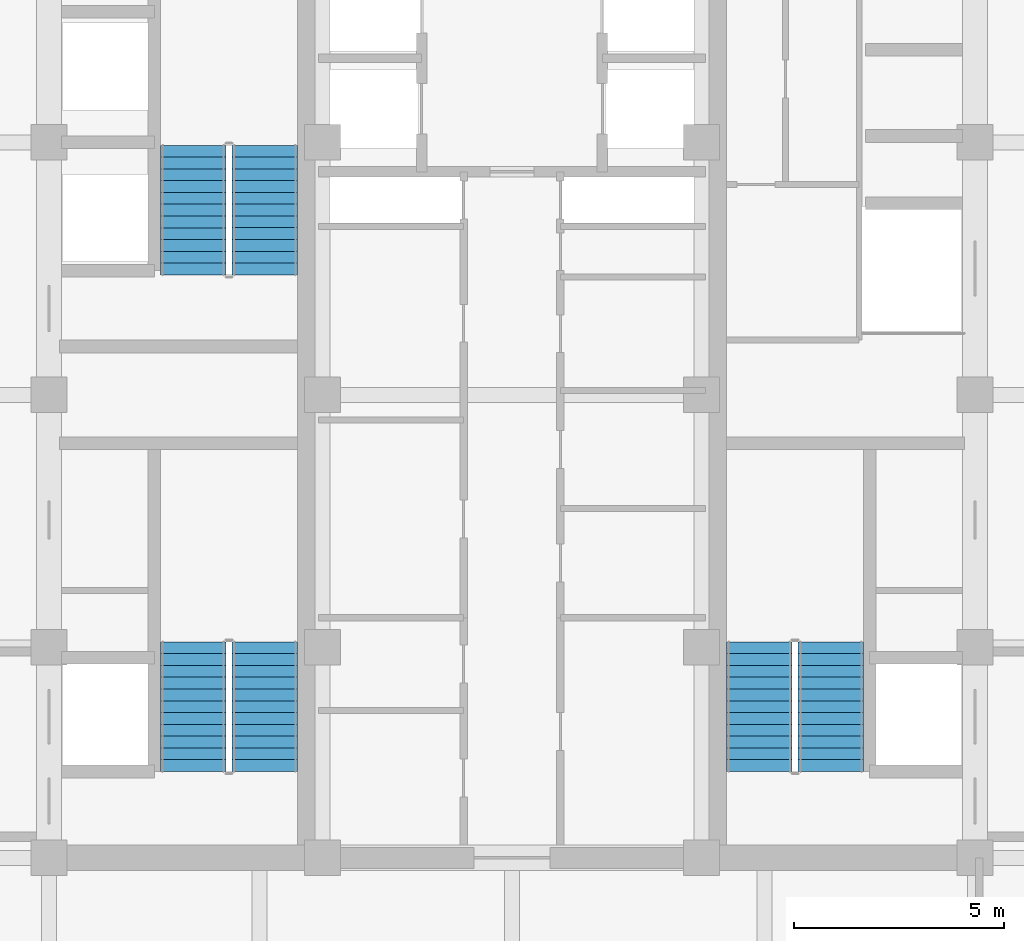
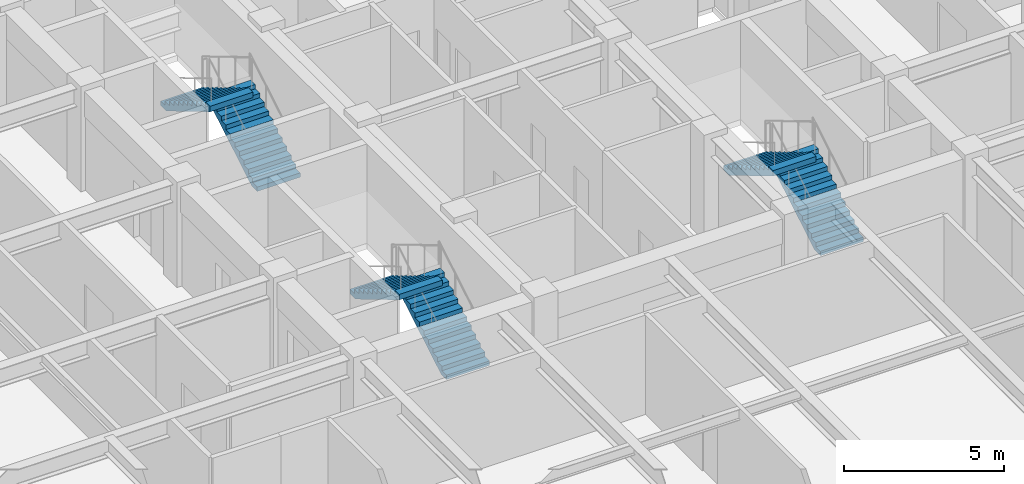
# One storey, part 24 of 25: 6 stair flights, 3 elements without a shape of their own.
"""IFC4 building model written with IfcOpenShell, lengths in metres."""

from ifc_helpers import new_model, si_unit, direction, frame, origin, place, context, subcontext, project, spatial, polyline, outline, extrude, source, transform, mapped, material, type_object, element, aggregate, save


model = new_model("IFC4")

# Units and contexts
model_context = context("Model", 3, precision=1e-05, world=origin(), true_north=direction((0.0, 1.0)))
body_context = subcontext(model_context, "Body", "Model", "MODEL_VIEW")
ifc_project = project(units=[si_unit("LENGTHUNIT", "METRE"), si_unit("AREAUNIT", "SQUARE_METRE"), si_unit("VOLUMEUNIT", "CUBIC_METRE"), si_unit("PLANEANGLEUNIT", "RADIAN"), si_unit("MASSUNIT", "GRAM", prefix="KILO")], contexts=[model_context])

# Site, building, storey
site_placement = place(None, origin())
site = spatial("IfcSite", under=ifc_project, at=site_placement, CompositionType="ELEMENT")
building_placement = place(site_placement, origin())
building = spatial("IfcBuilding", under=site, at=building_placement, Name="Khorayat Bourse Tower", CompositionType="ELEMENT")
storey_placement = place(building_placement, frame((0.0, 0.0, 247.10009765625)))
storey = spatial("IfcBuildingStorey", under=building, at=storey_placement, Name="L58", CompositionType="ELEMENT", Elevation=247.10009765625)

# Stair, stair flights
ifc_material = material(Name="Concrete C40/50", Category="concrete")
stair_type = type_object("IfcStairType", Name="STR-CORE-1550", PredefinedType="HALF_TURN_STAIR", material=ifc_material)
stair_1_placement = place(storey_placement, origin())
stair_1 = element("IfcStair", 1, at=stair_1_placement, inside=storey, type_object=stair_type, Name="L58 Exit Stair ST-1", PredefinedType="HALF_TURN_STAIR")
stair_flight_type = type_object("IfcStairFlightType", Name="FLT-CORE-1550", PredefinedType="STRAIGHT", material=ifc_material)
shared_shape = source(origin(), body_context, "Body", "SweptSolid", [
    extrude(outline(polyline([(0.0, 0.0), (0.0, 0.166748046875), (0.280029296875, 0.166748046875), (0.280029296875, 0.333251953125), (0.56005859375, 0.333251953125), (0.56005859375, 0.5), (0.840087890625, 0.5), (0.840087890625, 0.666748046875), (1.1201171875, 0.666748046875), (1.1201171875, 0.833251953125), (1.39990234375, 0.833251953125), (1.39990234375, 1.0), (1.679931640625, 1.0), (1.679931640625, 1.166748046875), (1.9599609375, 1.166748046875), (1.9599609375, 1.333251953125), (2.239990234375, 1.333251953125), (2.239990234375, 1.5), (2.52001953125, 1.5), (2.52001953125, 1.666748046875), (2.800048828125, 1.666748046875), (2.800048828125, 1.833251953125), (3.080078125, 1.833251953125), (3.080078125, 2.0), (3.080078125, 1.6240234375), (0.351806640625, 0.0), (0.0, 0.0)])), frame((0.0, 0.77490234375, 0.0), z_axis=(0.0, -1.0, 0.0), x_axis=(1.0, 0.0, 0.0)), (0.0, 0.0, 1.0), 1.550048828125),
])
stair_flight_1_placement = place(storey_placement, frame((-5.875, -8.949951171875, 0.0), z_axis=(0.0, 0.0, 1.0), x_axis=(0.0, 1.0, 0.0)))
stair_flight_1 = element("IfcStairFlight", 2, at=stair_flight_1_placement, type_object=stair_flight_type, Name="ST-1 flight 1", NumberOfRisers=12, NumberOfTreads=11, PredefinedType="STRAIGHT", RiserHeight=0.166666667, TreadLength=0.28, context=body_context, shape_type="MappedRepresentation", body=[
    mapped(shared_shape, transform((0.0, 0.0, 0.0), scale=1.0)),
])
stair_flight_2_placement = place(storey_placement, frame((-7.574951171875, -5.8701171875, 2.0), z_axis=(0.0, 0.0, 1.0), x_axis=(0.0, -1.0, 0.0)))
stair_flight_2 = element("IfcStairFlight", 3, at=stair_flight_2_placement, type_object=stair_flight_type, Name="ST-1 flight 2", NumberOfRisers=12, NumberOfTreads=11, PredefinedType="STRAIGHT", RiserHeight=0.166666667, TreadLength=0.28, context=body_context, shape_type="MappedRepresentation", body=[
    mapped(shared_shape, transform((0.0, 0.0, 0.0), scale=1.0)),
])
aggregate(stair_1, [stair_flight_1, stair_flight_2])

stair_2_placement = place(storey_placement, origin())
stair_2 = element("IfcStair", 4, at=stair_2_placement, inside=storey, type_object=stair_type, Name="L58 Exit Stair ST-2", PredefinedType="HALF_TURN_STAIR")
stair_flight_3_placement = place(storey_placement, frame((-5.875, 2.85009765625, 0.0), z_axis=(0.0, 0.0, 1.0), x_axis=(0.0, 1.0, 0.0)))
stair_flight_3 = element("IfcStairFlight", 5, at=stair_flight_3_placement, type_object=stair_flight_type, Name="ST-2 flight 1", NumberOfRisers=12, NumberOfTreads=11, PredefinedType="STRAIGHT", RiserHeight=0.166666667, TreadLength=0.28, context=body_context, shape_type="MappedRepresentation", body=[
    mapped(shared_shape, transform((0.0, 0.0, 0.0), scale=1.0)),
])
stair_flight_4_placement = place(storey_placement, frame((-7.574951171875, 5.929931640625, 2.0), z_axis=(0.0, 0.0, 1.0), x_axis=(0.0, -1.0, 0.0)))
stair_flight_4 = element("IfcStairFlight", 6, at=stair_flight_4_placement, type_object=stair_flight_type, Name="ST-2 flight 2", NumberOfRisers=12, NumberOfTreads=11, PredefinedType="STRAIGHT", RiserHeight=0.166666667, TreadLength=0.28, context=body_context, shape_type="MappedRepresentation", body=[
    mapped(shared_shape, transform((0.0, 0.0, 0.0), scale=1.0)),
])
aggregate(stair_2, [stair_flight_3, stair_flight_4])

stair_3_placement = place(storey_placement, origin())
stair_3 = element("IfcStair", 7, at=stair_3_placement, inside=storey, type_object=stair_type, Name="L58 Exit Stair ST-3", PredefinedType="HALF_TURN_STAIR")
stair_flight_5_placement = place(storey_placement, frame((7.574951171875, -8.949951171875, 0.0), z_axis=(0.0, 0.0, 1.0), x_axis=(0.0, 1.0, 0.0)))
stair_flight_5 = element("IfcStairFlight", 8, at=stair_flight_5_placement, type_object=stair_flight_type, Name="ST-3 flight 1", NumberOfRisers=12, NumberOfTreads=11, PredefinedType="STRAIGHT", RiserHeight=0.166666667, TreadLength=0.28, context=body_context, shape_type="MappedRepresentation", body=[
    mapped(shared_shape, transform((0.0, 0.0, 0.0), scale=1.0)),
])
stair_flight_6_placement = place(storey_placement, frame((5.875, -5.8701171875, 2.0), z_axis=(0.0, 0.0, 1.0), x_axis=(0.0, -1.0, 0.0)))
stair_flight_6 = element("IfcStairFlight", 9, at=stair_flight_6_placement, type_object=stair_flight_type, Name="ST-3 flight 2", NumberOfRisers=12, NumberOfTreads=11, PredefinedType="STRAIGHT", RiserHeight=0.166666667, TreadLength=0.28, context=body_context, shape_type="MappedRepresentation", body=[
    mapped(shared_shape, transform((0.0, 0.0, 0.0), scale=1.0)),
])
aggregate(stair_3, [stair_flight_5, stair_flight_6])

save(model, "model.ifc")
